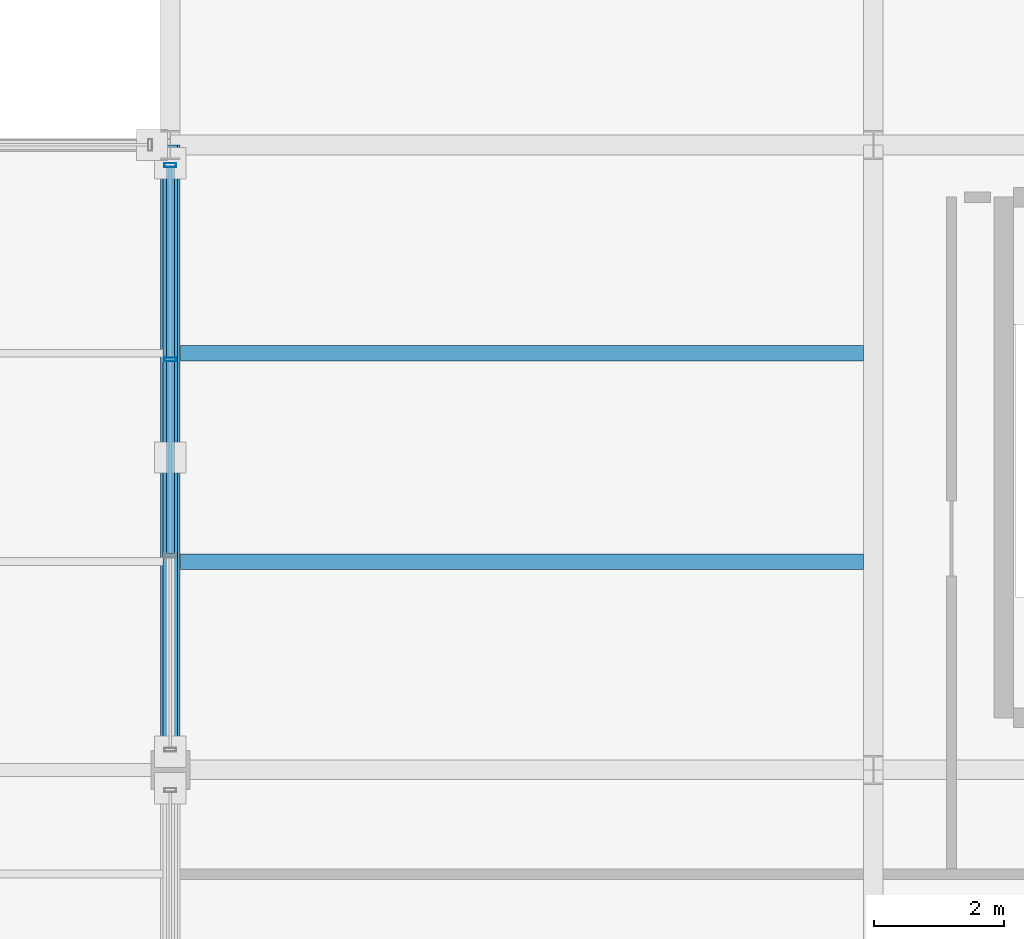
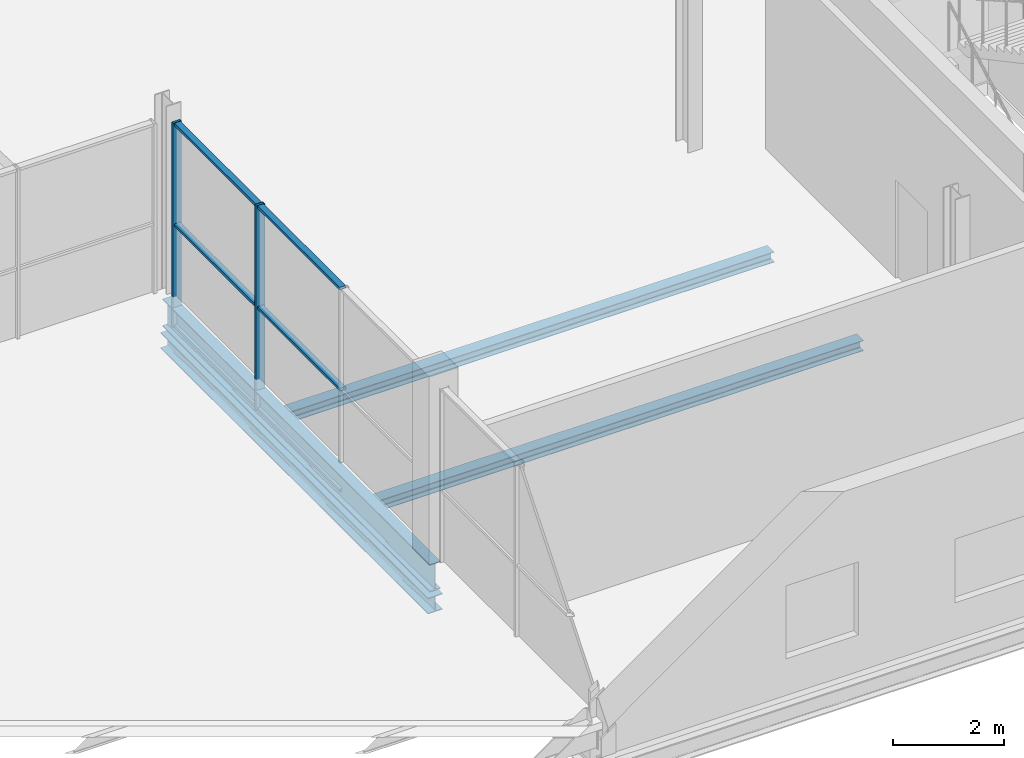
# One storey, part 98 of 159: 8 members, 4 beams, 1 element without a shape of its own.
"""IFC4 building model written with IfcOpenShell, lengths in metres."""

from ifc_helpers import new_model, si_unit, direction, frame, origin, origin_2d, place, context, subcontext, project, spatial, hollow_rectangle, i_section, extrude, material, material_profile, profile_set, type_object, element, aggregate, save


model = new_model("IFC4")

# Units and contexts
model_context = context("Model", 3, precision=1e-05, world=origin(), true_north=direction((0.0, 1.0)))
body_context = subcontext(model_context, "Body", "Model", "MODEL_VIEW")
ifc_project = project(units=[si_unit("LENGTHUNIT", "METRE"), si_unit("AREAUNIT", "SQUARE_METRE"), si_unit("VOLUMEUNIT", "CUBIC_METRE"), si_unit("PLANEANGLEUNIT", "RADIAN"), si_unit("MASSUNIT", "GRAM", prefix="KILO")], contexts=[model_context])

# Site, building, storey
site_placement = place(None, origin())
site = spatial("IfcSite", under=ifc_project, at=site_placement, CompositionType="ELEMENT")
building_placement = place(site_placement, origin())
building = spatial("IfcBuilding", under=site, at=building_placement, Name="Merenkruunu Market Hall", CompositionType="ELEMENT")
storey_placement = place(building_placement, frame((0.0, 0.0, 5.39990234375)))
storey = spatial("IfcBuildingStorey", under=building, at=storey_placement, Name="L01", CompositionType="ELEMENT", Elevation=5.39990234375)

# Curtain wall, members
ifc_material_1 = material(Name="Powder-coated aluminium", Category="aluminium")
curtain_wall_type = type_object("IfcCurtainWallType", Name="Glazed Curtain Wall CW14", PredefinedType="USERDEFINED", material=ifc_material_1)
curtain_wall_placement = place(storey_placement, origin())
curtain_wall = element("IfcCurtainWall", 1, at=curtain_wall_placement, inside=storey, type_object=curtain_wall_type, Name="CW-L01-CWM02-212", ObjectType="GLAZED_FACADE", PredefinedType="USERDEFINED")
ifc_material_profile_1 = material_profile(ifc_material_1, hollow_rectangle(XDim=0.06005859375, YDim=0.179931640625, WallThickness=0.00390625, at=origin_2d()), Name="ALU 60x180x4")
ifc_profile_set_1 = profile_set([ifc_material_profile_1], Name="Powder-coated aluminium")
member_type_1 = type_object("IfcMemberType", Name="Curtain Wall Mullion CWM02", PredefinedType="MULLION", material=ifc_profile_set_1)
member_1_placement = place(storey_placement, frame((148.800048828125, 12.306640625, 0.0), z_axis=(0.0, 0.0, 1.0), x_axis=(0.0, 1.0, 0.0)))
member_1 = element("IfcMember", 2, at=member_1_placement, type_object=member_type_1, Name="CW14 mullion 3", PredefinedType="MULLION", context=body_context, shape_type="SweptSolid", body=[
    extrude(hollow_rectangle(XDim=0.06005859375, YDim=0.179931640625, WallThickness=0.00390625, at=origin_2d()), origin(), (0.0, 0.0, 1.0), 4.47998046875),
])
member_2_placement = place(storey_placement, frame((148.800048828125, 15.2900390625, 0.0), z_axis=(0.0, 0.0, 1.0), x_axis=(0.0, 1.0, 0.0)))
member_2 = element("IfcMember", 3, at=member_2_placement, type_object=member_type_1, Name="CW14 mullion 4", PredefinedType="MULLION", context=body_context, shape_type="SweptSolid", body=[
    extrude(hollow_rectangle(XDim=0.06005859375, YDim=0.179931640625, WallThickness=0.00390625, at=origin_2d()), origin(), (0.0, 0.0, 1.0), 4.47998046875),
])
ifc_material_profile_2 = material_profile(ifc_material_1, hollow_rectangle(XDim=0.06005859375, YDim=0.125, WallThickness=0.00390625, at=origin_2d()), Name="ALU 60x125x4")
ifc_profile_set_2 = profile_set([ifc_material_profile_2], Name="Powder-coated aluminium")
member_type_2 = type_object("IfcMemberType", Name="Curtain Wall Transom CWT01", PredefinedType="USERDEFINED", material=ifc_profile_set_2)
member_3_placement = place(storey_placement, frame((148.800048828125, 9.3232421875, 0.030029296875), z_axis=(0.0, 1.0, 0.0), x_axis=(0.0, 0.0, 1.0)))
member_3 = element("IfcMember", 4, at=member_3_placement, type_object=member_type_2, Name="CW14 transom 2.1", ObjectType="TRANSOM", PredefinedType="USERDEFINED", context=body_context, shape_type="SweptSolid", body=[
    extrude(hollow_rectangle(XDim=0.06005859375, YDim=0.125, WallThickness=0.00390625, at=origin_2d()), origin(), (0.0, 0.0, 1.0), 2.953369140625),
])
member_4_placement = place(storey_placement, frame((148.800048828125, 9.3232421875, 2.239990234375), z_axis=(0.0, 1.0, 0.0), x_axis=(0.0, 0.0, 1.0)))
member_4 = element("IfcMember", 5, at=member_4_placement, type_object=member_type_2, Name="CW14 transom 2.2", ObjectType="TRANSOM", PredefinedType="USERDEFINED", context=body_context, shape_type="SweptSolid", body=[
    extrude(hollow_rectangle(XDim=0.06005859375, YDim=0.125, WallThickness=0.00390625, at=origin_2d()), origin(), (0.0, 0.0, 1.0), 2.953369140625),
])
member_5_placement = place(storey_placement, frame((148.800048828125, 9.3232421875, 4.4501953125), z_axis=(0.0, 1.0, 0.0), x_axis=(0.0, 0.0, 1.0)))
member_5 = element("IfcMember", 6, at=member_5_placement, type_object=member_type_2, Name="CW14 transom 2.3", ObjectType="TRANSOM", PredefinedType="USERDEFINED", context=body_context, shape_type="SweptSolid", body=[
    extrude(hollow_rectangle(XDim=0.06005859375, YDim=0.125, WallThickness=0.00390625, at=origin_2d()), origin(), (0.0, 0.0, 1.0), 2.953369140625),
])
member_6_placement = place(storey_placement, frame((148.800048828125, 12.336669921875, 0.030029296875), z_axis=(0.0, 1.0, 0.0), x_axis=(0.0, 0.0, 1.0)))
member_6 = element("IfcMember", 7, at=member_6_placement, type_object=member_type_2, Name="CW14 transom 3.1", ObjectType="TRANSOM", PredefinedType="USERDEFINED", context=body_context, shape_type="SweptSolid", body=[
    extrude(hollow_rectangle(XDim=0.06005859375, YDim=0.125, WallThickness=0.00390625, at=origin_2d()), origin(), (0.0, 0.0, 1.0), 2.92333984375),
])
member_7_placement = place(storey_placement, frame((148.800048828125, 12.336669921875, 2.239990234375), z_axis=(0.0, 1.0, 0.0), x_axis=(0.0, 0.0, 1.0)))
member_7 = element("IfcMember", 8, at=member_7_placement, type_object=member_type_2, Name="CW14 transom 3.2", ObjectType="TRANSOM", PredefinedType="USERDEFINED", context=body_context, shape_type="SweptSolid", body=[
    extrude(hollow_rectangle(XDim=0.06005859375, YDim=0.125, WallThickness=0.00390625, at=origin_2d()), origin(), (0.0, 0.0, 1.0), 2.92333984375),
])
member_8_placement = place(storey_placement, frame((148.800048828125, 12.336669921875, 4.4501953125), z_axis=(0.0, 1.0, 0.0), x_axis=(0.0, 0.0, 1.0)))
member_8 = element("IfcMember", 9, at=member_8_placement, type_object=member_type_2, Name="CW14 transom 3.3", ObjectType="TRANSOM", PredefinedType="USERDEFINED", context=body_context, shape_type="SweptSolid", body=[
    extrude(hollow_rectangle(XDim=0.06005859375, YDim=0.125, WallThickness=0.00390625, at=origin_2d()), origin(), (0.0, 0.0, 1.0), 2.92333984375),
])
aggregate(curtain_wall, [member_1, member_2, member_3, member_4, member_5, member_6, member_7, member_8])

# Beams
ifc_material_2 = material(Name="Steel S355J2", Category="steel")
ifc_material_profile_3 = material_profile(ifc_material_2, i_section(OverallWidth=0.300048828125, OverallDepth=0.35009765625, WebThickness=0.010009765625, FlangeThickness=0.017578125, FilletRadius=0.027099609375, at=origin_2d()), Name="HEA 360")
ifc_profile_set_3 = profile_set([ifc_material_profile_3], Name="Steel S355J2")
beam_type_1 = type_object("IfcBeamType", Name="Primary Floor Girder B08", PredefinedType="BEAM", material=ifc_profile_set_3)
beam_1_placement = place(storey_placement, frame((148.800048828125, 6.0, -0.454833984375), z_axis=(0.0, 1.0, 0.0), x_axis=(-1.0, 0.0, 0.0)))
element("IfcBeam", 10, at=beam_1_placement, inside=storey, type_object=beam_type_1, Name="BM-L01-B08-0616", PredefinedType="BEAM", context=body_context, shape_type="SweptSolid", body=[
    extrude(i_section(OverallWidth=0.300048828125, OverallDepth=0.35009765625, WebThickness=0.010009765625, FlangeThickness=0.017578125, FilletRadius=0.027099609375, at=origin_2d()), origin(), (0.0, 0.0, 1.0), 9.60009765625),
])
ifc_material_3 = material(Name="Steel S355ML", Category="steel")
ifc_material_profile_4 = material_profile(ifc_material_3, i_section(OverallWidth=0.219970703125, OverallDepth=0.60009765625, WebThickness=0.011962890625, FlangeThickness=0.01904296875, FilletRadius=0.02392578125, at=origin_2d()), Name="IPE 600")
ifc_profile_set_4 = profile_set([ifc_material_profile_4], Name="Steel S355ML")
beam_type_2 = type_object("IfcBeamType", Name="Primary Floor Girder B10", PredefinedType="BEAM", material=ifc_profile_set_4)
beam_2_placement = place(storey_placement, frame((148.800048828125, 15.60009765625, 0.14013671875), z_axis=(0.0, -1.0, 0.0), x_axis=(1.0, 0.0, 0.0)))
element("IfcBeam", 11, at=beam_2_placement, inside=storey, type_object=beam_type_2, Name="BM-L01-B10-1092", PredefinedType="BEAM", context=body_context, shape_type="SweptSolid", body=[
    extrude(i_section(OverallWidth=0.219970703125, OverallDepth=0.60009765625, WebThickness=0.011962890625, FlangeThickness=0.01904296875, FilletRadius=0.02392578125, at=origin_2d()), origin(), (0.0, 0.0, 1.0), 9.60009765625),
])
ifc_material_profile_5 = material_profile(ifc_material_2, i_section(OverallWidth=0.239990234375, OverallDepth=0.22998046875, WebThickness=0.007568359375, FlangeThickness=0.011962890625, FilletRadius=0.02099609375, at=origin_2d()), Name="HEA 240")
ifc_profile_set_5 = profile_set([ifc_material_profile_5], Name="Steel S355J2")
beam_type_3 = type_object("IfcBeamType", Name="Secondary Floor Joist J06", PredefinedType="JOIST", material=ifc_profile_set_5)
for number, where, z_axis, x_axis, name in (
    (12, (148.952880859375, 9.199951171875, -0.39501953125), (1.0, 0.0, 0.0), (0.0, 1.0, 0.0), "BM-L01-J06-0701"),
    (13, (148.952880859375, 12.39990234375, -0.39501953125), (1.0, 0.0, 0.0), (0.0, 1.0, 0.0), "BM-L01-J06-0702"),
):
    element("IfcBeam", number, at=place(storey_placement, frame(where, z_axis=z_axis, x_axis=x_axis)), inside=storey, type_object=beam_type_3, Name=name, PredefinedType="JOIST", context=body_context, shape_type="SweptSolid", body=[
        extrude(i_section(OverallWidth=0.239990234375, OverallDepth=0.22998046875, WebThickness=0.007568359375, FlangeThickness=0.011962890625, FilletRadius=0.02099609375, at=origin_2d()), origin(), (0.0, 0.0, 1.0), 10.494140625),
    ])

save(model, "model.ifc")
